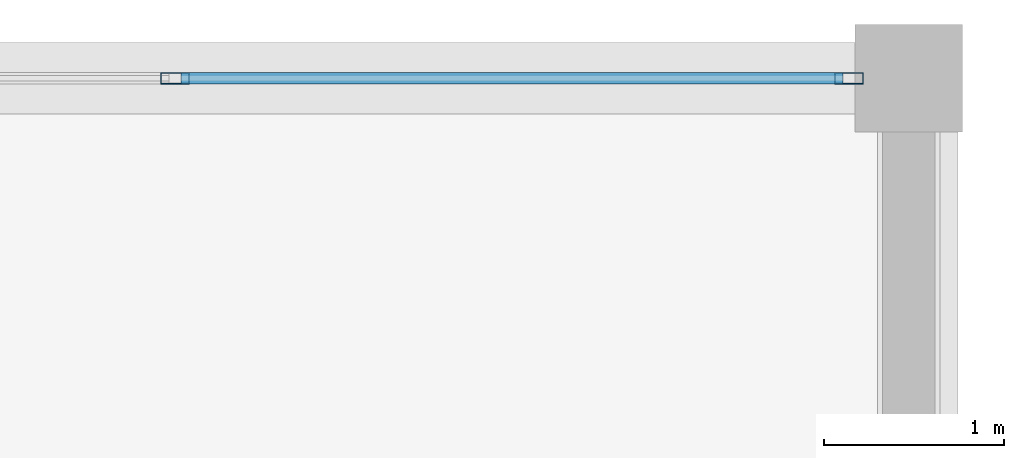
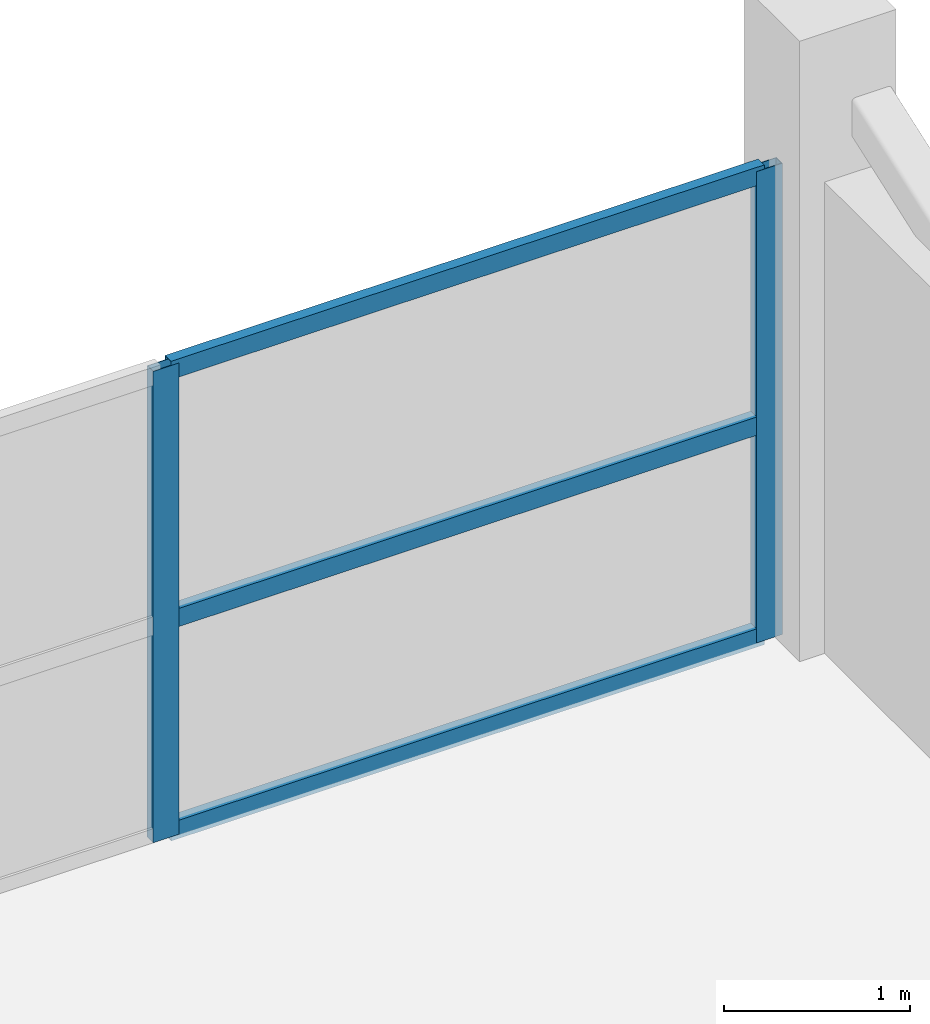
# One storey, part 50 of 66: 5 members, 1 element without a shape of its own.
"""IFC4 building model written with IfcOpenShell, lengths in metres."""

import ifcopenshell
import ifcopenshell.guid

model = None  # the IFC model being written
_history = None  # IfcOwnerHistory: only IFC2X3 demands one
_inside = {}  # id of a spatial element -> (the spatial element, [elements in it])
_under = {}  # id of a project, library or spatial element -> (it, [spatial elements below it])
_declared = {}  # id of a project -> (the project, [libraries it declares])
_typed = {}  # id of a type object -> (the type object, [elements of that type])
_made_of = {}  # id of a material, layer set ... -> (it, [elements and type objects made of it])


def new_model(schema):
    """Start an empty IFC model of exactly this schema.

    Asked for "IFC4X3", IfcOpenShell would pick the latest addendum, in which some entities
    have other attributes; the version numbers below select the first issue.
    IFC2X3 requires an IfcOwnerHistory on every rooted entity: one is made here for all.
    """
    global model, _history
    if schema == "IFC4X3":
        model = ifcopenshell.file(schema_version=(4, 3, 0, 0))
    else:
        model = ifcopenshell.file(schema=schema)
    _inside.clear()
    _under.clear()
    _declared.clear()
    _typed.clear()
    _made_of.clear()
    _history = None
    if model.schema == "IFC2X3":
        org = make("IfcOrganization", Name="unknown")
        user = make(
            "IfcPersonAndOrganization",
            ThePerson=make("IfcPerson", FamilyName="unknown"),
            TheOrganization=org,
        )
        app = make(
            "IfcApplication",
            ApplicationDeveloper=org,
            Version="unknown",
            ApplicationFullName="unknown",
            ApplicationIdentifier="unknown",
        )
        _history = make(
            "IfcOwnerHistory",
            OwningUser=user,
            OwningApplication=app,
            ChangeAction="ADDED",
            CreationDate=0,
        )
    return model


def make(cls, **values):
    """One entity of the class cls with the attributes given. An attribute that is None is left unset."""
    return model.create_entity(
        cls, **{name: value for name, value in values.items() if value is not None}
    )


def rooted(cls, **values):
    """An entity with a GlobalId (a new one), such as an element, a storey or a relation."""
    return make(cls, GlobalId=ifcopenshell.guid.new(), OwnerHistory=_history, **values)


def si_unit(unit_type, name, prefix=None):
    """IfcSIUnit, for example si_unit("LENGTHUNIT", "METRE", prefix="MILLI")."""
    return make("IfcSIUnit", UnitType=unit_type, Prefix=prefix, Name=name)


def assignment(units):
    """IfcUnitAssignment: the units of a project."""
    return None if units is None else make("IfcUnitAssignment", Units=units)


def point(xyz):
    """IfcCartesianPoint."""
    return None if xyz is None else make("IfcCartesianPoint", Coordinates=xyz)


def direction(xyz):
    """IfcDirection."""
    return None if xyz is None else make("IfcDirection", DirectionRatios=xyz)


def frame(location, z_axis=None, x_axis=None):
    """IfcAxis2Placement3D, a coordinate frame: its origin and axes. An axis left out is left unset."""
    return make(
        "IfcAxis2Placement3D",
        Location=point(location),
        Axis=direction(z_axis),
        RefDirection=direction(x_axis),
    )


def frame_2d(location, x_axis=None):
    """IfcAxis2Placement2D, a coordinate frame in the plane: its origin and x axis."""
    return make(
        "IfcAxis2Placement2D", Location=point(location), RefDirection=direction(x_axis)
    )


def origin():
    """The frame at (0, 0, 0) with its axes left unset."""
    return frame((0.0, 0.0, 0.0))


def origin_2d():
    """The frame at (0, 0) in the plane with its x axis left unset."""
    return frame_2d((0.0, 0.0))


def place(relative_to, where):
    """IfcLocalPlacement: puts the frame where relative to a parent placement (None: the world)."""
    return make(
        "IfcLocalPlacement", PlacementRelTo=relative_to, RelativePlacement=where
    )


def context(
    kind, dimensions, precision=None, world=None, true_north=None, identifier=None
):
    """IfcGeometricRepresentationContext, for example the 3D "Model" context."""
    return make(
        "IfcGeometricRepresentationContext",
        ContextIdentifier=identifier,
        ContextType=kind,
        CoordinateSpaceDimension=dimensions,
        Precision=precision,
        WorldCoordinateSystem=world,
        TrueNorth=true_north,
    )


def subcontext(parent, identifier, kind, view, scale=None):
    """IfcGeometricRepresentationSubContext, for example "Body" below "Model"."""
    return make(
        "IfcGeometricRepresentationSubContext",
        ContextIdentifier=identifier,
        ContextType=kind,
        ParentContext=parent,
        TargetScale=scale,
        TargetView=view,
    )


def project(units=None, contexts=None):
    """IfcProject with its units and contexts."""
    return rooted(
        "IfcProject",
        Name="project",
        RepresentationContexts=contexts,
        UnitsInContext=assignment(units),
    )


def spatial(cls, under=None, at=None, **own):
    """A site, building, storey or space (cls), placed at a placement, below another one or the project."""
    s = rooted(cls, ObjectPlacement=at, **own)
    if under is not None:
        _under.setdefault(under.id(), (under, []))[1].append(s)
    return s


def profile(cls, at=None, kind="AREA", **sizes):
    """A parametric profile (cls). Its sizes go by their IFC names, for example OverallWidth=200.0."""
    return make(cls, ProfileType=kind, Position=at, **sizes)


def hollow_rectangle(**sizes):
    """IfcRectangleHollowProfileDef."""
    return profile("IfcRectangleHollowProfileDef", **sizes)


def extrude(swept, where, along, depth):
    """IfcExtrudedAreaSolid: the profile swept, set in the frame where, extruded along a direction by depth."""
    return make(
        "IfcExtrudedAreaSolid",
        SweptArea=swept,
        Position=where,
        ExtrudedDirection=direction(along),
        Depth=depth,
    )


def shape(context_of_items, identifier, shape_type, items):
    """IfcShapeRepresentation: the items that make up one representation, for example the "Body"."""
    return make(
        "IfcShapeRepresentation",
        ContextOfItems=context_of_items,
        RepresentationIdentifier=identifier,
        RepresentationType=shape_type,
        Items=items,
    )


def material(Name=None, Category=None):
    """IfcMaterial."""
    return make("IfcMaterial", Name=Name, Category=Category)


def layer(
    of_material, thickness, ventilated=None, Name=None, Category=None, Priority=None
):
    """IfcMaterialLayer: one layer of a wall or slab, of a material (None: an air gap)."""
    return make(
        "IfcMaterialLayer",
        Material=of_material,
        LayerThickness=thickness,
        IsVentilated=ventilated,
        Name=Name,
        Category=Category,
        Priority=Priority,
    )


def layer_set(layers, Name=None):
    """IfcMaterialLayerSet."""
    return make("IfcMaterialLayerSet", MaterialLayers=layers, LayerSetName=Name)


def material_profile(
    of_material, cross_section, Name=None, Category=None, Priority=None
):
    """IfcMaterialProfile: a cross section and its material."""
    return make(
        "IfcMaterialProfile",
        Name=Name,
        Material=of_material,
        Profile=cross_section,
        Priority=Priority,
        Category=Category,
    )


def profile_set(profiles, Name=None, composite=None):
    """IfcMaterialProfileSet."""
    return make(
        "IfcMaterialProfileSet",
        Name=Name,
        MaterialProfiles=profiles,
        CompositeProfile=composite,
    )


def made_of(thing, what):
    """Note that an element or type object is made of a material, layer set ...; save() writes the relation."""
    if what is not None:
        _made_of.setdefault(what.id(), (what, []))[1].append(thing)
    return thing


def type_object(cls, material=None, **own):
    """A type object (cls), such as IfcWallType, which elements share."""
    return made_of(rooted(cls, **own), material)


def element(
    cls,
    number,
    at=None,
    inside=None,
    cuts=None,
    type_object=None,
    material=None,
    context=None,
    identifier="Body",
    shape_type=None,
    held_by="IfcProductDefinitionShape",
    body=None,
    shapes=None,
    **own,
):
    """One element of the class cls, such as IfcWall. Its Tag is "e" and its number.

    at: its placement. inside: the storey or other place that contains it. cuts: it is an
    opening in that element (IfcRelVoidsElement). A single representation is given by context,
    identifier, shape_type and body (its items); several are given by shapes. held_by: the class
    of the entity that holds the representations. save() writes the other relations.
    """
    e = rooted(cls, Tag="e%d" % number, ObjectPlacement=at, **own)
    if body is not None:
        shapes = [shape(context, identifier, shape_type, body)]
    if shapes is not None:
        e.Representation = make(held_by, Representations=shapes)
    if inside is not None:
        _inside.setdefault(inside.id(), (inside, []))[1].append(e)
    if cuts is not None:
        rooted(
            "IfcRelVoidsElement", RelatingBuildingElement=cuts, RelatedOpeningElement=e
        )
    if type_object is not None:
        _typed.setdefault(type_object.id(), (type_object, []))[1].append(e)
    return made_of(e, material)


def aggregate(whole, parts):
    """IfcRelAggregates: a whole, such as a stair, and the parts it consists of."""
    return rooted("IfcRelAggregates", RelatingObject=whole, RelatedObjects=parts)


def save(model, path):
    """Write the relations noted so far, then the file.

    IfcRelAggregates (storeys below a building ...), IfcRelContainedInSpatialStructure (elements
    in a storey), IfcRelDefinesByType, IfcRelAssociatesMaterial and IfcRelDeclares: one each for
    every whole, place, type object, material and project.
    """
    for whole, parts in _under.values():
        aggregate(whole, parts)
    for where, things in _inside.values():
        rooted(
            "IfcRelContainedInSpatialStructure",
            RelatedElements=things,
            RelatingStructure=where,
        )
    for kind, things in _typed.values():
        rooted("IfcRelDefinesByType", RelatedObjects=things, RelatingType=kind)
    for what, things in _made_of.values():
        rooted("IfcRelAssociatesMaterial", RelatedObjects=things, RelatingMaterial=what)
    for by, libraries in _declared.values():
        rooted("IfcRelDeclares", RelatingContext=by, RelatedDefinitions=libraries)
    model.write(path)


model = new_model("IFC4")

# Units and contexts
model_context = context("Model", 3, precision=1e-05, world=origin(), true_north=direction((0.0, 1.0)))
body_context = subcontext(model_context, "Body", "Model", "MODEL_VIEW")
ifc_project = project(units=[si_unit("LENGTHUNIT", "METRE"), si_unit("AREAUNIT", "SQUARE_METRE"), si_unit("VOLUMEUNIT", "CUBIC_METRE"), si_unit("PLANEANGLEUNIT", "RADIAN"), si_unit("MASSUNIT", "GRAM", prefix="KILO")], contexts=[model_context])

# Site, building, storey
site_placement = place(None, origin())
site = spatial("IfcSite", under=ifc_project, at=site_placement, CompositionType="ELEMENT")
building_placement = place(site_placement, origin())
building = spatial("IfcBuilding", under=site, at=building_placement, Name="Sillaruma Civic Art Gallery", CompositionType="ELEMENT")
storey_placement = place(building_placement, frame((0.0, 0.0, 62.219970703125)))
storey = spatial("IfcBuildingStorey", under=building, at=storey_placement, Name="L12", CompositionType="ELEMENT", Elevation=62.219970703125)

# Curtain wall, members
ifc_material = material(Name="Thermally Broken Extruded Aluminium 6063-T6", Category="aluminium")
ifc_layer = layer(ifc_material, 0.159912109375, Name="Thermally Broken Extruded Aluminium 6063-T6")
ifc_layer_set = layer_set([ifc_layer], Name="Thermally Broken Extruded Aluminium 6063-T6")
curtain_wall_type = type_object("IfcCurtainWallType", Name="CW-UNI-103", PredefinedType="NOTDEFINED", material=ifc_layer_set)
curtain_wall_placement = place(storey_placement, origin())
curtain_wall = element("IfcCurtainWall", 1, at=curtain_wall_placement, inside=storey, type_object=curtain_wall_type, Name="Unitised Curtain Wall CW-103 (CW-L12-EBN-2)", PredefinedType="NOTDEFINED")
ifc_material_profile_1 = material_profile(ifc_material, hollow_rectangle(XDim=0.06494140625, YDim=0.159912109375, WallThickness=0.00390625, at=origin_2d()), Name="CWM65x160")
ifc_profile_set_1 = profile_set([ifc_material_profile_1], Name="Thermally Broken Extruded Aluminium 6063-T6")
member_type_1 = type_object("IfcMemberType", Name="MEM-MUL-CWM65x160", PredefinedType="MULLION", material=ifc_profile_set_1)
member_1_placement = place(storey_placement, frame((110.3125, 99.0, 0.0), z_axis=(0.0, 0.0, 1.0), x_axis=(0.0, 1.0, 0.0)))
member_1 = element("IfcMember", 2, at=member_1_placement, type_object=member_type_1, Name="CW-103 mullion 2", PredefinedType="MULLION", context=body_context, shape_type="SweptSolid", body=[
    extrude(hollow_rectangle(XDim=0.06494140625, YDim=0.159912109375, WallThickness=0.00390625, at=origin_2d()), origin(), (0.0, 0.0, 1.0), 3.10009765625),
])
member_2_placement = place(storey_placement, frame((114.0673828125, 99.0, 0.0), z_axis=(0.0, 0.0, 1.0), x_axis=(0.0, 1.0, 0.0)))
member_2 = element("IfcMember", 3, at=member_2_placement, type_object=member_type_1, Name="CW-103 mullion 3", PredefinedType="MULLION", context=body_context, shape_type="SweptSolid", body=[
    extrude(hollow_rectangle(XDim=0.06494140625, YDim=0.159912109375, WallThickness=0.00390625, at=origin_2d()), origin(), (0.0, 0.0, 1.0), 3.10009765625),
])
ifc_material_profile_2 = material_profile(ifc_material, hollow_rectangle(XDim=0.06494140625, YDim=0.1201171875, WallThickness=0.00341796875, at=origin_2d()), Name="CWT65x120")
ifc_profile_set_2 = profile_set([ifc_material_profile_2], Name="Thermally Broken Extruded Aluminium 6063-T6")
member_type_2 = type_object("IfcMemberType", Name="MEM-TRN-CWT65x120", PredefinedType="USERDEFINED", material=ifc_profile_set_2)
member_3_placement = place(storey_placement, frame((110.344970703125, 99.0, 0.032470703125), z_axis=(1.0, 0.0, 0.0), x_axis=(0.0, 1.0, 0.0)))
member_3 = element("IfcMember", 4, at=member_3_placement, type_object=member_type_2, Name="CW-103 transom 2.1", ObjectType="TRANSOM", PredefinedType="USERDEFINED", context=body_context, shape_type="SweptSolid", body=[
    extrude(hollow_rectangle(XDim=0.06494140625, YDim=0.1201171875, WallThickness=0.00341796875, at=origin_2d()), origin(), (0.0, 0.0, 1.0), 3.68994140625),
])
member_4_placement = place(storey_placement, frame((110.344970703125, 99.0, 1.426025390625), z_axis=(1.0, 0.0, 0.0), x_axis=(0.0, 1.0, 0.0)))
member_4 = element("IfcMember", 5, at=member_4_placement, type_object=member_type_2, Name="CW-103 transom 2.2", ObjectType="TRANSOM", PredefinedType="USERDEFINED", context=body_context, shape_type="SweptSolid", body=[
    extrude(hollow_rectangle(XDim=0.06494140625, YDim=0.1201171875, WallThickness=0.00341796875, at=origin_2d()), origin(), (0.0, 0.0, 1.0), 3.68994140625),
])
member_5_placement = place(storey_placement, frame((110.344970703125, 99.0, 3.067626953125), z_axis=(1.0, 0.0, 0.0), x_axis=(0.0, 1.0, 0.0)))
member_5 = element("IfcMember", 6, at=member_5_placement, type_object=member_type_2, Name="CW-103 transom 2.3", ObjectType="TRANSOM", PredefinedType="USERDEFINED", context=body_context, shape_type="SweptSolid", body=[
    extrude(hollow_rectangle(XDim=0.06494140625, YDim=0.1201171875, WallThickness=0.00341796875, at=origin_2d()), origin(), (0.0, 0.0, 1.0), 3.68994140625),
])
aggregate(curtain_wall, [member_1, member_2, member_3, member_4, member_5])

save(model, "model.ifc")
